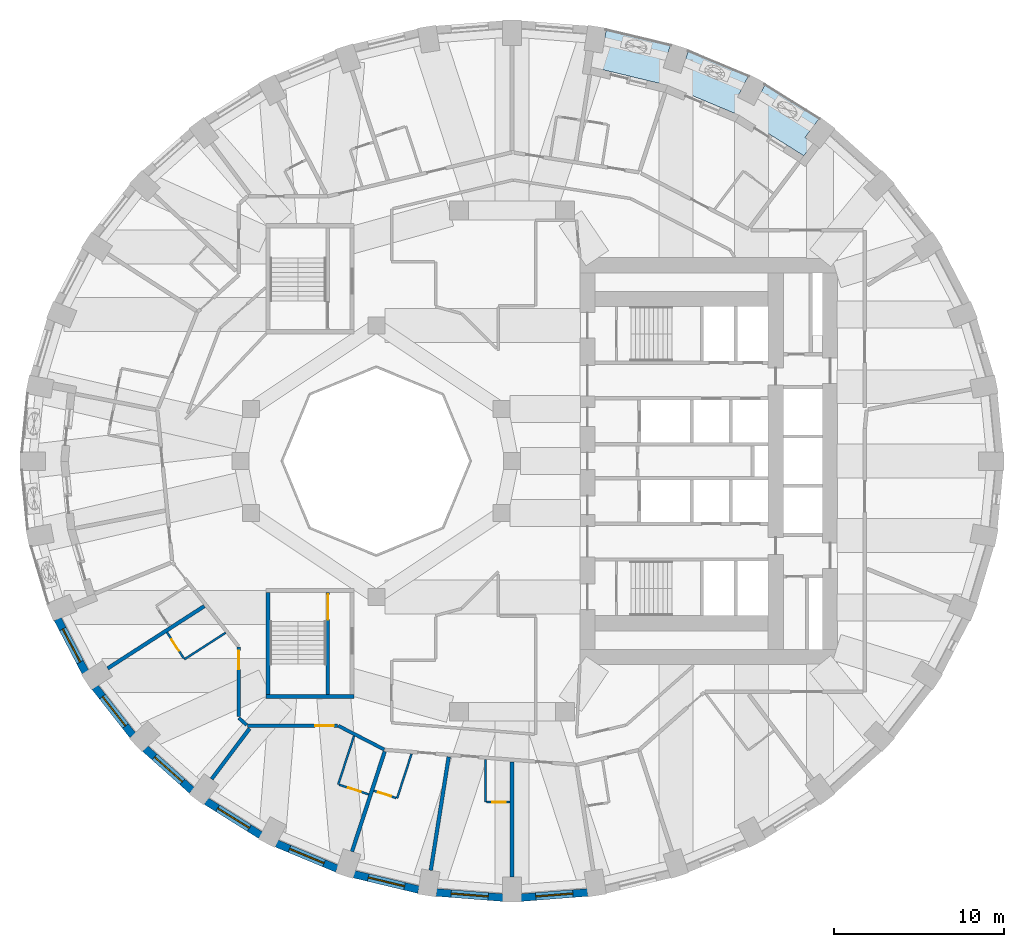
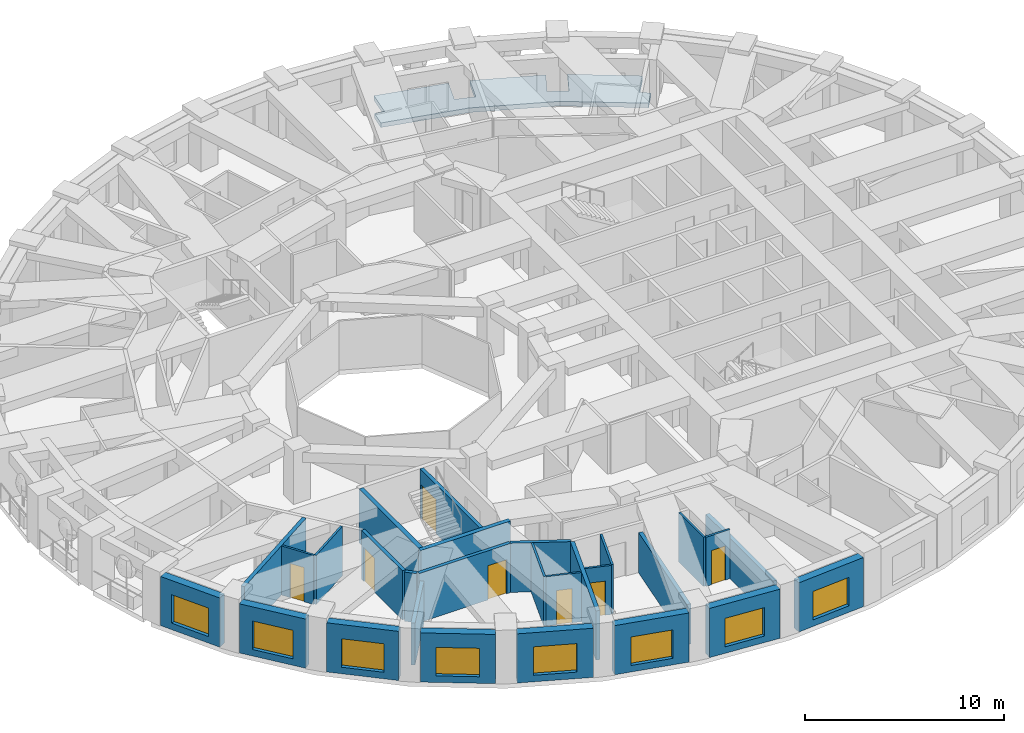
# One storey, part 3 of 13: 28 walls, 8 windows, 7 doors, 1 slab, 15 openings.
"""IFC4 building model written with IfcOpenShell, lengths in metres."""

from ifc_helpers import new_model, si_unit, direction, frame, frame_2d, origin, place, context, subcontext, project, spatial, polyline, rectangle, outline, extrude, material, layer, layer_set, type_object, element, fill, save


model = new_model("IFC4")

# Units and contexts
model_context = context("Model", 3, precision=1e-05, world=origin(), true_north=direction((0.0, 1.0)))
body_context = subcontext(model_context, "Body", "Model", "MODEL_VIEW")
ifc_project = project(units=[si_unit("LENGTHUNIT", "METRE"), si_unit("AREAUNIT", "SQUARE_METRE"), si_unit("VOLUMEUNIT", "CUBIC_METRE"), si_unit("PLANEANGLEUNIT", "RADIAN"), si_unit("MASSUNIT", "GRAM", prefix="KILO")], contexts=[model_context])

# Site, building, storey
site_placement = place(None, origin())
site = spatial("IfcSite", under=ifc_project, at=site_placement, CompositionType="ELEMENT")
building_placement = place(site_placement, origin())
building = spatial("IfcBuilding", under=site, at=building_placement, Name="Taillehof Tower", CompositionType="ELEMENT")
storey_placement = place(building_placement, frame((0.0, 0.0, 67.89990234375)))
storey = spatial("IfcBuildingStorey", under=building, at=storey_placement, Name="L18", CompositionType="ELEMENT", Elevation=67.89990234375)

# Slab
ifc_material_1 = material(Name="Concrete C40/50", Category="concrete")
ifc_layer_1 = layer(ifc_material_1, 0.280029296875)
ifc_layer_set_1 = layer_set([ifc_layer_1], Name="Balcony slab 280")
slab_type = type_object("IfcSlabType", Name="Balcony slab 280", PredefinedType="USERDEFINED", material=ifc_layer_set_1)
slab_placement = place(storey_placement, frame((0.0, 0.0, -0.27978515625)))
element("IfcSlab", 1, at=slab_placement, inside=storey, type_object=slab_type, Name="Balcony L18 pocket 1", ObjectType="BALCONY", PredefinedType="USERDEFINED", context=body_context, shape_type="SweptSolid", body=[
    extrude(outline(polyline([(4.6611328125, 23.234375), (4.801513671875, 24.12353515625), (5.331787109375, 24.039794921875), (5.559326171875, 25.479248046875), (9.357421875, 24.56689453125), (8.906494140625, 23.184814453125), (9.9521484375, 22.843505859375), (10.404296875, 24.22900390625), (13.958984375, 22.742919921875), (13.291748046875, 21.453857421875), (14.2685546875, 20.9482421875), (14.938232421875, 22.24169921875), (18.139404296875, 20.23193359375), (17.268310546875, 19.073974609375), (17.73974609375, 18.71923828125), (17.197998046875, 17.999267578125), (13.396728515625, 20.38525390625), (9.174072265625, 22.150390625), (4.6611328125, 23.234375)])), origin(), (0.0, 0.0, 1.0), 0.27978515625),
])

# Wall, opening, window
ifc_material_2 = material(Name="Brick masonry", Category="masonry")
ifc_layer_2 = layer(ifc_material_2, 0.449951171875)
ifc_layer_set_2 = layer_set([ifc_layer_2], Name="Brick infill wall 450")
wall_type_1 = type_object("IfcWallType", Name="Brick infill wall 450", PredefinedType="SOLIDWALL", material=ifc_layer_set_2)
wall_1_placement = place(storey_placement, frame((-26.78564453125, -9.30517578125, 0.0), z_axis=(0.0, 0.0, 1.0), x_axis=(0.462492775226, -0.886623050041, 0.0)))
wall_1 = element("IfcWall", 2, at=wall_1_placement, inside=storey, type_object=wall_type_1, Name="Brick wall L18 bay 21", PredefinedType="SOLIDWALL", context=body_context, shape_type="SweptSolid", body=[
    extrude(rectangle(XDim=3.531982421875, YDim=0.449951171875, at=frame_2d((1.76611328125, 0.0))), origin(), (0.0, 0.0, 1.0), 3.02001953125),
])
opening_1_placement = place(wall_1_placement, frame((0.666015625, 0.0, 0.39990234375)))
opening_1 = element("IfcOpeningElement", 3, at=opening_1_placement, cuts=wall_1, Name="Opening W1", PredefinedType="OPENING", context=body_context, shape_type="SweptSolid", body=[
    extrude(rectangle(XDim=2.199951171875, YDim=1.75, at=frame_2d((1.10009765625, 0.875))), frame((0.0, 0.23486328125, 0.0), z_axis=(0.0, -1.0, 0.0), x_axis=(1.0, 0.0, 0.0)), (0.0, 0.0, 1.0), 0.469970703125),
])
ifc_material_3 = material(Name="Aluminium window frame with clear double glazing", Category="aluminium")
window_type = type_object("IfcWindowType", Name="Deep-set window 2200x1750", PartitioningType="SINGLE_PANEL", PredefinedType="WINDOW", material=ifc_material_3)
window_1_placement = place(opening_1_placement, origin())
window_1 = element("IfcWindow", 4, at=window_1_placement, inside=storey, type_object=window_type, Name="W1", OverallHeight=1.75, OverallWidth=2.199951171875, PartitioningType="SINGLE_PANEL", PredefinedType="WINDOW", context=body_context, shape_type="SweptSolid", body=[
    extrude(rectangle(XDim=2.199951171875, YDim=1.75, at=frame_2d((1.10009765625, 0.875))), frame((0.0, 0.034912109375, 0.0), z_axis=(0.0, -1.0, 0.0), x_axis=(1.0, 0.0, 0.0)), (0.0, 0.0, 1.0), 0.06005859375),
])
fill(opening_1, window_1)

wall_2_placement = place(storey_placement, frame((-24.57763671875, -13.327880859375, 0.0), z_axis=(0.0, 0.0, 1.0), x_axis=(0.616661975264, -0.787228053529, 0.0)))
wall_2 = element("IfcWall", 5, at=wall_2_placement, inside=storey, type_object=wall_type_1, Name="Brick wall L18 bay 22", PredefinedType="SOLIDWALL", context=body_context, shape_type="SweptSolid", body=[
    extrude(rectangle(XDim=3.60986328125, YDim=0.449951171875, at=frame_2d((1.804931640625, 0.0))), origin(), (0.0, 0.0, 1.0), 3.02001953125),
])
opening_2_placement = place(wall_2_placement, frame((0.704833984375, 0.0, 0.39990234375)))
opening_2 = element("IfcOpeningElement", 6, at=opening_2_placement, cuts=wall_2, Name="Opening W1", PredefinedType="OPENING", context=body_context, shape_type="SweptSolid", body=[
    extrude(rectangle(XDim=2.199951171875, YDim=1.75, at=frame_2d((1.10009765625, 0.875))), frame((0.0, 0.23486328125, 0.0), z_axis=(0.0, -1.0, 0.0), x_axis=(1.0, 0.0, 0.0)), (0.0, 0.0, 1.0), 0.469970703125),
])
window_2_placement = place(opening_2_placement, origin())
window_2 = element("IfcWindow", 7, at=window_2_placement, inside=storey, type_object=window_type, Name="W1", OverallHeight=1.75, OverallWidth=2.199951171875, PartitioningType="SINGLE_PANEL", PredefinedType="WINDOW", context=body_context, shape_type="SweptSolid", body=[
    extrude(rectangle(XDim=2.199951171875, YDim=1.75, at=frame_2d((1.10009765625, 0.875))), frame((0.0, 0.034912109375, 0.0), z_axis=(0.0, -1.0, 0.0), x_axis=(1.0, 0.0, 0.0)), (0.0, 0.0, 1.0), 0.06005859375),
])
fill(opening_2, window_2)

wall_3_placement = place(storey_placement, frame((-21.626708984375, -16.943115234375, 0.0), z_axis=(0.0, 0.0, 1.0), x_axis=(0.745526233716, -0.66647628228, 0.0)))
wall_3 = element("IfcWall", 8, at=wall_3_placement, inside=storey, type_object=wall_type_1, Name="Brick wall L18 bay 23", PredefinedType="SOLIDWALL", context=body_context, shape_type="SweptSolid", body=[
    extrude(rectangle(XDim=3.69677734375, YDim=0.449951171875, at=frame_2d((1.848388671875, 0.0))), origin(), (0.0, 0.0, 1.0), 3.02001953125),
])
opening_3_placement = place(wall_3_placement, frame((0.74853515625, 0.0, 0.39990234375)))
opening_3 = element("IfcOpeningElement", 9, at=opening_3_placement, cuts=wall_3, Name="Opening W1", PredefinedType="OPENING", context=body_context, shape_type="SweptSolid", body=[
    extrude(rectangle(XDim=2.199951171875, YDim=1.75, at=frame_2d((1.10009765625, 0.875))), frame((0.0, 0.23486328125, 0.0), z_axis=(0.0, -1.0, 0.0), x_axis=(1.0, 0.0, 0.0)), (0.0, 0.0, 1.0), 0.469970703125),
])
window_3_placement = place(opening_3_placement, origin())
window_3 = element("IfcWindow", 10, at=window_3_placement, inside=storey, type_object=window_type, Name="W1", OverallHeight=1.75, OverallWidth=2.199951171875, PartitioningType="SINGLE_PANEL", PredefinedType="WINDOW", context=body_context, shape_type="SweptSolid", body=[
    extrude(rectangle(XDim=2.199951171875, YDim=1.75, at=frame_2d((1.10009765625, 0.875))), frame((0.0, 0.034912109375, 0.0), z_axis=(0.0, -1.0, 0.0), x_axis=(1.0, 0.0, 0.0)), (0.0, 0.0, 1.0), 0.06005859375),
])
fill(opening_3, window_3)

wall_4_placement = place(storey_placement, frame((-18.02294921875, -20.043701171875, 0.0), z_axis=(0.0, 0.0, 1.0), x_axis=(0.847635480093, -0.530579016629, 0.0)))
wall_4 = element("IfcWall", 11, at=wall_4_placement, inside=storey, type_object=wall_type_1, Name="Brick wall L18 bay 24", PredefinedType="SOLIDWALL", context=body_context, shape_type="SweptSolid", body=[
    extrude(rectangle(XDim=3.782470703125, YDim=0.449951171875, at=frame_2d((1.89111328125, 0.0))), origin(), (0.0, 0.0, 1.0), 3.02001953125),
])
opening_4_placement = place(wall_4_placement, frame((0.791259765625, 0.0, 0.39990234375)))
opening_4 = element("IfcOpeningElement", 12, at=opening_4_placement, cuts=wall_4, Name="Opening W1", PredefinedType="OPENING", context=body_context, shape_type="SweptSolid", body=[
    extrude(rectangle(XDim=2.199951171875, YDim=1.75, at=frame_2d((1.10009765625, 0.875))), frame((0.0, 0.23486328125, 0.0), z_axis=(0.0, -1.0, 0.0), x_axis=(1.0, 0.0, 0.0)), (0.0, 0.0, 1.0), 0.469970703125),
])
window_4_placement = place(opening_4_placement, origin())
window_4 = element("IfcWindow", 13, at=window_4_placement, inside=storey, type_object=window_type, Name="W1", OverallHeight=1.75, OverallWidth=2.199951171875, PartitioningType="SINGLE_PANEL", PredefinedType="WINDOW", context=body_context, shape_type="SweptSolid", body=[
    extrude(rectangle(XDim=2.199951171875, YDim=1.75, at=frame_2d((1.10009765625, 0.875))), frame((0.0, 0.034912109375, 0.0), z_axis=(0.0, -1.0, 0.0), x_axis=(1.0, 0.0, 0.0)), (0.0, 0.0, 1.0), 0.06005859375),
])
fill(opening_4, window_4)

wall_5_placement = place(storey_placement, frame((-13.875, -22.537353515625, 0.0), z_axis=(0.0, 0.0, 1.0), x_axis=(0.923031964282, -0.384723267966, 0.0)))
wall_5 = element("IfcWall", 14, at=wall_5_placement, inside=storey, type_object=wall_type_1, Name="Brick wall L18 bay 25", PredefinedType="SOLIDWALL", context=body_context, shape_type="SweptSolid", body=[
    extrude(rectangle(XDim=3.8564453125, YDim=0.449951171875, at=frame_2d((1.92822265625, 0.0))), origin(), (0.0, 0.0, 1.0), 3.02001953125),
])
opening_5_placement = place(wall_5_placement, frame((0.828125, 0.0, 0.39990234375)))
opening_5 = element("IfcOpeningElement", 15, at=opening_5_placement, cuts=wall_5, Name="Opening W1", PredefinedType="OPENING", context=body_context, shape_type="SweptSolid", body=[
    extrude(rectangle(XDim=2.199951171875, YDim=1.75, at=frame_2d((1.10009765625, 0.875))), frame((0.0, 0.23486328125, 0.0), z_axis=(0.0, -1.0, 0.0), x_axis=(1.0, 0.0, 0.0)), (0.0, 0.0, 1.0), 0.469970703125),
])
window_5_placement = place(opening_5_placement, origin())
window_5 = element("IfcWindow", 16, at=window_5_placement, inside=storey, type_object=window_type, Name="W1", OverallHeight=1.75, OverallWidth=2.199951171875, PartitioningType="SINGLE_PANEL", PredefinedType="WINDOW", context=body_context, shape_type="SweptSolid", body=[
    extrude(rectangle(XDim=2.199951171875, YDim=1.75, at=frame_2d((1.10009765625, 0.875))), frame((0.0, 0.034912109375, 0.0), z_axis=(0.0, -1.0, 0.0), x_axis=(1.0, 0.0, 0.0)), (0.0, 0.0, 1.0), 0.06005859375),
])
fill(opening_5, window_5)

wall_6_placement = place(storey_placement, frame((-9.3076171875, -24.349609375, 0.0), z_axis=(0.0, 0.0, 1.0), x_axis=(0.972496561493, -0.232917233979, 0.0)))
wall_6 = element("IfcWall", 17, at=wall_6_placement, inside=storey, type_object=wall_type_1, Name="Brick wall L18 bay 26", PredefinedType="SOLIDWALL", context=body_context, shape_type="SweptSolid", body=[
    extrude(rectangle(XDim=3.910888671875, YDim=0.449951171875, at=frame_2d((1.95556640625, 0.0))), origin(), (0.0, 0.0, 1.0), 3.02001953125),
])
opening_6_placement = place(wall_6_placement, frame((0.855224609375, 0.0, 0.39990234375)))
opening_6 = element("IfcOpeningElement", 18, at=opening_6_placement, cuts=wall_6, Name="Opening W1", PredefinedType="OPENING", context=body_context, shape_type="SweptSolid", body=[
    extrude(rectangle(XDim=2.199951171875, YDim=1.75, at=frame_2d((1.10009765625, 0.875))), frame((0.0, 0.23486328125, 0.0), z_axis=(0.0, -1.0, 0.0), x_axis=(1.0, 0.0, 0.0)), (0.0, 0.0, 1.0), 0.469970703125),
])
window_6_placement = place(opening_6_placement, origin())
window_6 = element("IfcWindow", 19, at=window_6_placement, inside=storey, type_object=window_type, Name="W1", OverallHeight=1.75, OverallWidth=2.199951171875, PartitioningType="SINGLE_PANEL", PredefinedType="WINDOW", context=body_context, shape_type="SweptSolid", body=[
    extrude(rectangle(XDim=2.199951171875, YDim=1.75, at=frame_2d((1.10009765625, 0.875))), frame((0.0, 0.034912109375, 0.0), z_axis=(0.0, -1.0, 0.0), x_axis=(1.0, 0.0, 0.0)), (0.0, 0.0, 1.0), 0.06005859375),
])
fill(opening_6, window_6)

wall_7_placement = place(storey_placement, frame((-4.457275390625, -25.42578125, 0.0), z_axis=(0.0, 0.0, 1.0), x_axis=(0.996955972145, -0.077966592873, 0.0)))
wall_7 = element("IfcWall", 20, at=wall_7_placement, inside=storey, type_object=wall_type_1, Name="Brick wall L18 bay 27", PredefinedType="SOLIDWALL", context=body_context, shape_type="SweptSolid", body=[
    extrude(rectangle(XDim=3.939208984375, YDim=0.449951171875, at=frame_2d((1.9697265625, 0.0))), origin(), (0.0, 0.0, 1.0), 3.02001953125),
])
opening_7_placement = place(wall_7_placement, frame((0.86962890625, 0.0, 0.39990234375)))
opening_7 = element("IfcOpeningElement", 21, at=opening_7_placement, cuts=wall_7, Name="Opening W1", PredefinedType="OPENING", context=body_context, shape_type="SweptSolid", body=[
    extrude(rectangle(XDim=2.199951171875, YDim=1.75, at=frame_2d((1.10009765625, 0.875))), frame((0.0, 0.23486328125, 0.0), z_axis=(0.0, -1.0, 0.0), x_axis=(1.0, 0.0, 0.0)), (0.0, 0.0, 1.0), 0.469970703125),
])
window_7_placement = place(opening_7_placement, origin())
window_7 = element("IfcWindow", 22, at=window_7_placement, inside=storey, type_object=window_type, Name="W1", OverallHeight=1.75, OverallWidth=2.199951171875, PartitioningType="SINGLE_PANEL", PredefinedType="WINDOW", context=body_context, shape_type="SweptSolid", body=[
    extrude(rectangle(XDim=2.199951171875, YDim=1.75, at=frame_2d((1.10009765625, 0.875))), frame((0.0, 0.034912109375, 0.0), z_axis=(0.0, -1.0, 0.0), x_axis=(1.0, 0.0, 0.0)), (0.0, 0.0, 1.0), 0.06005859375),
])
fill(opening_7, window_7)

wall_8_placement = place(storey_placement, frame((0.530029296875, -25.73291015625, 0.0), z_axis=(0.0, 0.0, 1.0), x_axis=(0.996955972145, 0.077966592873, 0.0)))
wall_8 = element("IfcWall", 23, at=wall_8_placement, inside=storey, type_object=wall_type_1, Name="Brick wall L18 bay 28", PredefinedType="SOLIDWALL", context=body_context, shape_type="SweptSolid", body=[
    extrude(rectangle(XDim=3.939208984375, YDim=0.449951171875, at=frame_2d((1.9697265625, 0.0))), origin(), (0.0, 0.0, 1.0), 3.02001953125),
])
opening_8_placement = place(wall_8_placement, frame((0.86962890625, 0.0, 0.39990234375)))
opening_8 = element("IfcOpeningElement", 24, at=opening_8_placement, cuts=wall_8, Name="Opening W1", PredefinedType="OPENING", context=body_context, shape_type="SweptSolid", body=[
    extrude(rectangle(XDim=2.199951171875, YDim=1.75, at=frame_2d((1.10009765625, 0.875))), frame((0.0, 0.23486328125, 0.0), z_axis=(0.0, -1.0, 0.0), x_axis=(1.0, 0.0, 0.0)), (0.0, 0.0, 1.0), 0.469970703125),
])
window_8_placement = place(opening_8_placement, origin())
window_8 = element("IfcWindow", 25, at=window_8_placement, inside=storey, type_object=window_type, Name="W1", OverallHeight=1.75, OverallWidth=2.199951171875, PartitioningType="SINGLE_PANEL", PredefinedType="WINDOW", context=body_context, shape_type="SweptSolid", body=[
    extrude(rectangle(XDim=2.199951171875, YDim=1.75, at=frame_2d((1.10009765625, 0.875))), frame((0.0, 0.034912109375, 0.0), z_axis=(0.0, -1.0, 0.0), x_axis=(1.0, 0.0, 0.0)), (0.0, 0.0, 1.0), 0.06005859375),
])
fill(opening_8, window_8)

# Wall
ifc_material_4 = material(Name="Gypsum board on steel studs, two layers each side", Category="steel")
ifc_layer_3 = layer(ifc_material_4, 0.199951171875)
ifc_layer_set_3 = layer_set([ifc_layer_3], Name="Compartment wall corridor 200")
wall_type_2 = type_object("IfcWallType", Name="Compartment wall corridor 200", PredefinedType="PARTITIONING", material=ifc_layer_set_3)
wall_9_placement = place(storey_placement, frame((-7.534423828125, -16.998291015625, 0.0), z_axis=(0.0, 0.0, 1.0), x_axis=(-0.888535328052, 0.458808206992, 0.0)))
element("IfcWall", 26, at=wall_9_placement, inside=storey, type_object=wall_type_2, Name="Compartment wall", PredefinedType="PARTITIONING", context=body_context, shape_type="SweptSolid", body=[
    extrude(rectangle(XDim=3.04736328125, YDim=0.199951171875, at=frame_2d((1.523681640625, 0.0))), origin(), (0.0, 0.0, 1.0), 3.02001953125),
])

# Wall, opening, door
wall_10_placement = place(storey_placement, frame((-10.2822265625, -15.60009765625, 0.0), z_axis=(0.0, 0.0, 1.0), x_axis=(-1.0, 0.0, 0.0)))
wall_10 = element("IfcWall", 27, at=wall_10_placement, inside=storey, type_object=wall_type_2, Name="Compartment wall", PredefinedType="PARTITIONING", context=body_context, shape_type="SweptSolid", body=[
    extrude(rectangle(XDim=5.309326171875, YDim=0.199951171875, at=frame_2d((2.65478515625, 0.0))), origin(), (0.0, 0.0, 1.0), 3.02001953125),
])
opening_9_placement = place(wall_10_placement, frame((0.219970703125, 0.0, 0.0)))
opening_9 = element("IfcOpeningElement", 28, at=opening_9_placement, cuts=wall_10, Name="Opening D1864", PredefinedType="OPENING", context=body_context, shape_type="SweptSolid", body=[
    extrude(rectangle(XDim=1.10009765625, YDim=2.10009765625, at=frame_2d((0.550048828125, 1.050048828125))), frame((0.0, 0.10986328125, 0.0), z_axis=(0.0, -1.0, 0.0), x_axis=(1.0, 0.0, 0.0)), (0.0, 0.0, 1.0), 0.219970703125),
])
ifc_material_5 = material(Name="Timber door leaf in steel frame", Category="steel")
door_type_1 = type_object("IfcDoorType", Name="Suite entrance door EI 30 1100 x 2100", OperationType="SINGLE_SWING_LEFT", PredefinedType="DOOR", material=ifc_material_5)
door_1_placement = place(opening_9_placement, origin())
door_1 = element("IfcDoor", 29, at=door_1_placement, inside=storey, type_object=door_type_1, Name="D1864", OperationType="SINGLE_SWING_LEFT", OverallHeight=2.10009765625, OverallWidth=1.10009765625, PredefinedType="DOOR", context=body_context, shape_type="SweptSolid", body=[
    extrude(rectangle(XDim=1.10009765625, YDim=2.10009765625, at=frame_2d((0.550048828125, 1.050048828125))), frame((0.0, 0.02490234375, 0.0), z_axis=(0.0, -1.0, 0.0), x_axis=(1.0, 0.0, 0.0)), (0.0, 0.0, 1.0), 0.050048828125),
])
fill(opening_9, door_1)

# Wall
wall_11_placement = place(storey_placement, frame((-15.63623046875, -15.559814453125, 0.0), z_axis=(0.0, 0.0, 1.0), x_axis=(-0.744656758283, 0.667447610187, 0.0)))
element("IfcWall", 30, at=wall_11_placement, inside=storey, type_object=wall_type_2, Name="Compartment wall", PredefinedType="PARTITIONING", context=body_context, shape_type="SweptSolid", body=[
    extrude(rectangle(XDim=0.623046875, YDim=0.199951171875, at=frame_2d((0.3115234375, 0.0))), origin(), (0.0, 0.0, 1.0), 3.02001953125),
])

# Wall, opening, door
wall_12_placement = place(storey_placement, frame((-16.10009765625, -15.06396484375, 0.0), z_axis=(0.0, 0.0, 1.0), x_axis=(0.0, 1.0, 0.0)))
wall_12 = element("IfcWall", 31, at=wall_12_placement, inside=storey, type_object=wall_type_2, Name="Compartment wall", PredefinedType="PARTITIONING", context=body_context, shape_type="SweptSolid", body=[
    extrude(rectangle(XDim=4.113037109375, YDim=0.199951171875, at=frame_2d((2.056640625, 0.0))), origin(), (0.0, 0.0, 1.0), 3.02001953125),
])
opening_10_placement = place(wall_12_placement, frame((2.79296875, 0.0, 0.0)))
opening_10 = element("IfcOpeningElement", 32, at=opening_10_placement, cuts=wall_12, Name="Opening D1862", PredefinedType="OPENING", context=body_context, shape_type="SweptSolid", body=[
    extrude(rectangle(XDim=1.10009765625, YDim=2.10009765625, at=frame_2d((0.550048828125, 1.050048828125))), frame((0.0, 0.10986328125, 0.0), z_axis=(0.0, -1.0, 0.0), x_axis=(1.0, 0.0, 0.0)), (0.0, 0.0, 1.0), 0.219970703125),
])
door_2_placement = place(opening_10_placement, origin())
door_2 = element("IfcDoor", 33, at=door_2_placement, inside=storey, type_object=door_type_1, Name="D1862", OperationType="SINGLE_SWING_RIGHT", OverallHeight=2.10009765625, OverallWidth=1.10009765625, PredefinedType="DOOR", context=body_context, shape_type="SweptSolid", body=[
    extrude(rectangle(XDim=1.10009765625, YDim=2.10009765625, at=frame_2d((0.550048828125, 1.050048828125))), frame((0.0, 0.02490234375, 0.0), z_axis=(0.0, -1.0, 0.0), x_axis=(1.0, 0.0, 0.0)), (0.0, 0.0, 1.0), 0.050048828125),
])
fill(opening_10, door_2)

# Walls
ifc_material_6 = material(Name="Gypsum board on double steel studs with mineral wool", Category="steel")
ifc_layer_4 = layer(ifc_material_6, 0.219970703125)
ifc_layer_set_4 = layer_set([ifc_layer_4], Name="Compartment wall guest room 220")
wall_type_3 = type_object("IfcWallType", Name="Compartment wall guest room 220", PredefinedType="PARTITIONING", material=ifc_layer_set_4)
wall_13_placement = place(storey_placement, frame((-23.834716796875, -12.218994140625, 0.0), z_axis=(0.0, 0.0, 1.0), x_axis=(0.840749666863, 0.541424046076, 0.0)))
element("IfcWall", 34, at=wall_13_placement, inside=storey, type_object=wall_type_3, Name="Compartment wall", PredefinedType="PARTITIONING", context=body_context, shape_type="SweptSolid", body=[
    extrude(rectangle(XDim=6.774658203125, YDim=0.219970703125, at=frame_2d((3.38720703125, 0.0))), origin(), (0.0, 0.0, 1.0), 3.02001953125),
])
wall_14_placement = place(storey_placement, frame((-17.707763671875, -18.7431640625, 0.0), z_axis=(0.0, 0.0, 1.0), x_axis=(0.601172757903, 0.799119086967, 0.0)))
element("IfcWall", 35, at=wall_14_placement, inside=storey, type_object=wall_type_3, Name="Compartment wall", PredefinedType="PARTITIONING", context=body_context, shape_type="SweptSolid", body=[
    extrude(rectangle(XDim=3.728515625, YDim=0.219970703125, at=frame_2d((1.8642578125, 0.0))), origin(), (0.0, 0.0, 1.0), 2.570068359375),
])
wall_15_placement = place(storey_placement, frame((-9.429443359375, -23.01416015625, 0.0), z_axis=(0.0, 0.0, 1.0), x_axis=(0.310235573501, 0.950659712481, 0.0)))
element("IfcWall", 36, at=wall_15_placement, inside=storey, type_object=wall_type_3, Name="Compartment wall", PredefinedType="PARTITIONING", context=body_context, shape_type="SweptSolid", body=[
    extrude(rectangle(XDim=6.20361328125, YDim=0.219970703125, at=frame_2d((3.101806640625, 0.0))), origin(), (0.0, 0.0, 1.0), 3.02001953125),
])
for number, where, z_axis, x_axis, name in (
    (37, (-4.788330078125, -24.12548828125, 0.0), (0.0, 0.0, 1.0), (0.156127209873, 0.987736956045, 0.0), "Compartment wall"),
    (38, (0.0, -24.5, 0.0), (0.0, 0.0, 1.0), (0.0, 1.0, 0.0), "Compartment wall"),
):
    element("IfcWall", number, at=place(storey_placement, frame(where, z_axis=z_axis, x_axis=x_axis)), inside=storey, type_object=wall_type_3, Name=name, PredefinedType="PARTITIONING", context=body_context, shape_type="SweptSolid", body=[
        extrude(rectangle(XDim=6.777099609375, YDim=0.219970703125, at=frame_2d((3.388671875, 0.0))), origin(), (0.0, 0.0, 1.0), 2.47021484375),
    ])
ifc_material_7 = material(Name="Gypsum board on steel studs, moisture resistant", Category="steel")
ifc_layer_5 = layer(ifc_material_7, 0.1201171875)
ifc_layer_set_5 = layer_set([ifc_layer_5], Name="En-suite wall 120")
wall_type_4 = type_object("IfcWallType", Name="En-suite wall 120", PredefinedType="PARTITIONING", material=ifc_layer_set_5)
wall_16_placement = place(storey_placement, frame((-16.880615234375, -10.11962890625, 0.0), z_axis=(0.0, 0.0, 1.0), x_axis=(-0.840749755927, -0.541423907773, 0.0)))
element("IfcWall", 39, at=wall_16_placement, inside=storey, type_object=wall_type_4, Name="En-suite wall", PredefinedType="PARTITIONING", context=body_context, shape_type="SweptSolid", body=[
    extrude(rectangle(XDim=2.88818359375, YDim=0.1201171875, at=frame_2d((1.444091796875, 0.0))), origin(), (0.0, 0.0, 1.0), 3.02001953125),
])
wall_17_placement = place(storey_placement, frame((-9.30810546875, -16.195068359375, 0.0), z_axis=(0.0, 0.0, 1.0), x_axis=(-0.310170219214, -0.950681037527, 0.0)))
element("IfcWall", 40, at=wall_17_placement, inside=storey, type_object=wall_type_4, Name="En-suite wall", PredefinedType="PARTITIONING", context=body_context, shape_type="SweptSolid", body=[
    extrude(rectangle(XDim=3.013916015625, YDim=0.1201171875, at=frame_2d((1.5068359375, 0.0))), origin(), (0.0, 0.0, 1.0), 3.02001953125),
])
wall_18_placement = place(storey_placement, frame((-5.921142578125, -17.259765625, 0.0), z_axis=(0.0, 0.0, 1.0), x_axis=(-0.310180943487, -0.950677538547, 0.0)))
element("IfcWall", 41, at=wall_18_placement, inside=storey, type_object=wall_type_4, Name="En-suite wall", PredefinedType="PARTITIONING", context=body_context, shape_type="SweptSolid", body=[
    extrude(rectangle(XDim=2.75244140625, YDim=0.1201171875, at=frame_2d((1.376220703125, 0.0))), origin(), (0.0, 0.0, 1.0), 3.02001953125),
])
wall_19_placement = place(storey_placement, frame((-1.550048828125, -17.581787109375, 0.0), z_axis=(0.0, 0.0, 1.0), x_axis=(0.0, -1.0, 0.0)))
element("IfcWall", 42, at=wall_19_placement, inside=storey, type_object=wall_type_4, Name="En-suite wall", PredefinedType="PARTITIONING", context=body_context, shape_type="SweptSolid", body=[
    extrude(rectangle(XDim=2.520751953125, YDim=0.1201171875, at=frame_2d((1.26025390625, 0.0))), origin(), (0.0, 0.0, 1.0), 3.02001953125),
])

# Wall, opening, door
wall_20_placement = place(storey_placement, frame((-19.34130859375, -11.6328125, 0.0), z_axis=(0.0, 0.0, 1.0), x_axis=(-0.541391271501, 0.840770772055, 0.0)))
wall_20 = element("IfcWall", 43, at=wall_20_placement, inside=storey, type_object=wall_type_4, Name="En-suite wall", PredefinedType="PARTITIONING", context=body_context, shape_type="SweptSolid", body=[
    extrude(rectangle(XDim=1.830078125, YDim=0.1201171875, at=frame_2d((0.9150390625, 0.0))), origin(), (0.0, 0.0, 1.0), 3.02001953125),
])
opening_11_placement = place(wall_20_placement, frame((0.5400390625, 0.0, 0.0)))
opening_11 = element("IfcOpeningElement", 44, at=opening_11_placement, cuts=wall_20, Name="Opening D1863", PredefinedType="OPENING", context=body_context, shape_type="SweptSolid", body=[
    extrude(rectangle(XDim=0.800048828125, YDim=2.10009765625, at=frame_2d((0.39990234375, 1.050048828125))), frame((0.0, 0.070068359375, 0.0), z_axis=(0.0, -1.0, 0.0), x_axis=(1.0, 0.0, 0.0)), (0.0, 0.0, 1.0), 0.14013671875),
])
ifc_material_8 = material(Name="Timber door leaf in steel frame", Category="steel")
door_type_2 = type_object("IfcDoorType", Name="En-suite door 800 x 2100", OperationType="SINGLE_SWING_LEFT", PredefinedType="DOOR", material=ifc_material_8)
door_3_placement = place(opening_11_placement, origin())
door_3 = element("IfcDoor", 45, at=door_3_placement, inside=storey, type_object=door_type_2, Name="D1863", OperationType="SINGLE_SWING_RIGHT", OverallHeight=2.10009765625, OverallWidth=0.800048828125, PredefinedType="DOOR", context=body_context, shape_type="SweptSolid", body=[
    extrude(rectangle(XDim=0.800048828125, YDim=2.10009765625, at=frame_2d((0.39990234375, 1.050048828125))), frame((0.0, 0.02490234375, 0.0), z_axis=(0.0, -1.0, 0.0), x_axis=(1.0, 0.0, 0.0)), (0.0, 0.0, 1.0), 0.050048828125),
])
fill(opening_11, door_3)

wall_21_placement = place(storey_placement, frame((-10.185791015625, -19.078857421875, 0.0), z_axis=(0.0, 0.0, 1.0), x_axis=(0.950678536911, -0.31017788357, 0.0)))
wall_21 = element("IfcWall", 46, at=wall_21_placement, inside=storey, type_object=wall_type_4, Name="En-suite wall", PredefinedType="PARTITIONING", context=body_context, shape_type="SweptSolid", body=[
    extrude(rectangle(XDim=1.830078125, YDim=0.1201171875, at=frame_2d((0.9150390625, 0.0))), origin(), (0.0, 0.0, 1.0), 3.02001953125),
])
opening_12_placement = place(wall_21_placement, frame((0.539794921875, 0.0, 0.0)))
opening_12 = element("IfcOpeningElement", 47, at=opening_12_placement, cuts=wall_21, Name="Opening D1865", PredefinedType="OPENING", context=body_context, shape_type="SweptSolid", body=[
    extrude(rectangle(XDim=0.800048828125, YDim=2.10009765625, at=frame_2d((0.39990234375, 1.050048828125))), frame((0.0, 0.070068359375, 0.0), z_axis=(0.0, -1.0, 0.0), x_axis=(1.0, 0.0, 0.0)), (0.0, 0.0, 1.0), 0.14013671875),
])
door_4_placement = place(opening_12_placement, origin())
door_4 = element("IfcDoor", 48, at=door_4_placement, inside=storey, type_object=door_type_2, Name="D1865", OperationType="SINGLE_SWING_LEFT", OverallHeight=2.10009765625, OverallWidth=0.800048828125, PredefinedType="DOOR", context=body_context, shape_type="SweptSolid", body=[
    extrude(rectangle(XDim=0.800048828125, YDim=2.10009765625, at=frame_2d((0.39990234375, 1.050048828125))), frame((0.0, 0.02490234375, 0.0), z_axis=(0.0, -1.0, 0.0), x_axis=(1.0, 0.0, 0.0)), (0.0, 0.0, 1.0), 0.050048828125),
])
fill(opening_12, door_4)

wall_22_placement = place(storey_placement, frame((-6.83203125, -19.85791015625, 0.0), z_axis=(0.0, 0.0, 1.0), x_axis=(-0.950645927723, 0.31027781117, 0.0)))
wall_22 = element("IfcWall", 49, at=wall_22_placement, inside=storey, type_object=wall_type_4, Name="En-suite wall", PredefinedType="PARTITIONING", context=body_context, shape_type="SweptSolid", body=[
    extrude(rectangle(XDim=1.380126953125, YDim=0.1201171875, at=frame_2d((0.68994140625, 0.0))), origin(), (0.0, 0.0, 1.0), 3.02001953125),
])
opening_13_placement = place(wall_22_placement, frame((0.315185546875, 0.0, 0.0)))
opening_13 = element("IfcOpeningElement", 50, at=opening_13_placement, cuts=wall_22, Name="Opening D1867", PredefinedType="OPENING", context=body_context, shape_type="SweptSolid", body=[
    extrude(rectangle(XDim=0.800048828125, YDim=2.10009765625, at=frame_2d((0.39990234375, 1.050048828125))), frame((0.0, 0.070068359375, 0.0), z_axis=(0.0, -1.0, 0.0), x_axis=(1.0, 0.0, 0.0)), (0.0, 0.0, 1.0), 0.14013671875),
])
door_5_placement = place(opening_13_placement, origin())
door_5 = element("IfcDoor", 51, at=door_5_placement, inside=storey, type_object=door_type_2, Name="D1867", OperationType="SINGLE_SWING_RIGHT", OverallHeight=2.10009765625, OverallWidth=0.800048828125, PredefinedType="DOOR", context=body_context, shape_type="SweptSolid", body=[
    extrude(rectangle(XDim=0.800048828125, YDim=2.10009765625, at=frame_2d((0.39990234375, 1.050048828125))), frame((0.0, 0.02490234375, 0.0), z_axis=(0.0, -1.0, 0.0), x_axis=(1.0, 0.0, 0.0)), (0.0, 0.0, 1.0), 0.050048828125),
])
fill(opening_13, door_5)

wall_23_placement = place(storey_placement, frame((-1.489990234375, -20.1025390625, 0.0), z_axis=(0.0, 0.0, 1.0), x_axis=(1.0, 0.0, 0.0)))
wall_23 = element("IfcWall", 52, at=wall_23_placement, inside=storey, type_object=wall_type_4, Name="En-suite wall", PredefinedType="PARTITIONING", context=body_context, shape_type="SweptSolid", body=[
    extrude(rectangle(XDim=1.3798828125, YDim=0.1201171875, at=frame_2d((0.68994140625, 0.0))), origin(), (0.0, 0.0, 1.0), 3.02001953125),
])
opening_14_placement = place(wall_23_placement, frame((0.31494140625, 0.0, 0.0)))
opening_14 = element("IfcOpeningElement", 53, at=opening_14_placement, cuts=wall_23, Name="Opening D1869", PredefinedType="OPENING", context=body_context, shape_type="SweptSolid", body=[
    extrude(rectangle(XDim=0.800048828125, YDim=2.10009765625, at=frame_2d((0.39990234375, 1.050048828125))), frame((0.0, 0.070068359375, 0.0), z_axis=(0.0, -1.0, 0.0), x_axis=(1.0, 0.0, 0.0)), (0.0, 0.0, 1.0), 0.14013671875),
])
door_6_placement = place(opening_14_placement, origin())
door_6 = element("IfcDoor", 54, at=door_6_placement, inside=storey, type_object=door_type_2, Name="D1869", OperationType="SINGLE_SWING_LEFT", OverallHeight=2.10009765625, OverallWidth=0.800048828125, PredefinedType="DOOR", context=body_context, shape_type="SweptSolid", body=[
    extrude(rectangle(XDim=0.800048828125, YDim=2.10009765625, at=frame_2d((0.39990234375, 1.050048828125))), frame((0.0, 0.02490234375, 0.0), z_axis=(0.0, -1.0, 0.0), x_axis=(1.0, 0.0, 0.0)), (0.0, 0.0, 1.0), 0.050048828125),
])
fill(opening_14, door_6)

ifc_material_9 = material(Name="Concrete C50/60", Category="concrete")
ifc_layer_6 = layer(ifc_material_9, 0.199951171875)
ifc_layer_set_6 = layer_set([ifc_layer_6], Name="Shaft wall C50/60 200")
wall_type_5 = type_object("IfcWallType", Name="Shaft wall C50/60 200", PredefinedType="SHEAR", material=ifc_layer_set_6)
wall_24_placement = place(storey_placement, frame((-10.85009765625, -13.75, 0.0), z_axis=(0.0, 0.0, 1.0), x_axis=(0.0, 1.0, 0.0)))
wall_24 = element("IfcWall", 55, at=wall_24_placement, inside=storey, type_object=wall_type_5, Name="Shaft wall SW", PredefinedType="SHEAR", context=body_context, shape_type="SweptSolid", body=[
    extrude(rectangle(XDim=6.0, YDim=0.199951171875, at=frame_2d((3.0, 0.0))), origin(), (0.0, 0.0, 1.0), 3.02001953125),
])
opening_15_placement = place(wall_24_placement, frame((4.39990234375, 0.0, 0.0)))
opening_15 = element("IfcOpeningElement", 56, at=opening_15_placement, cuts=wall_24, Name="Opening D1813", PredefinedType="OPENING", context=body_context, shape_type="SweptSolid", body=[
    extrude(rectangle(XDim=1.5, YDim=2.10009765625, at=frame_2d((0.75, 1.050048828125))), frame((0.0, 0.10986328125, 0.0), z_axis=(0.0, -1.0, 0.0), x_axis=(1.0, 0.0, 0.0)), (0.0, 0.0, 1.0), 0.219970703125),
])
ifc_material_10 = material(Name="Steel-faced fire door", Category="steel")
door_type_3 = type_object("IfcDoorType", Name="Stair door 1500x2100", OperationType="DOUBLE_DOOR_SINGLE_SWING", PredefinedType="DOOR", material=ifc_material_10)
door_7_placement = place(opening_15_placement, origin())
door_7 = element("IfcDoor", 57, at=door_7_placement, inside=storey, type_object=door_type_3, Name="Stair lobby door S4", OperationType="DOUBLE_DOOR_SINGLE_SWING", OverallHeight=2.10009765625, OverallWidth=1.5, PredefinedType="DOOR", context=body_context, shape_type="SweptSolid", body=[
    extrude(rectangle(XDim=1.5, YDim=2.10009765625, at=frame_2d((0.75, 1.050048828125))), frame((0.0, 0.02490234375, 0.0), z_axis=(0.0, -1.0, 0.0), x_axis=(1.0, 0.0, 0.0)), (0.0, 0.0, 1.0), 0.050048828125),
])
fill(opening_15, door_7)

# Walls
ifc_material_11 = material(Name="Concrete C50/60", Category="concrete")
ifc_layer_7 = layer(ifc_material_11, 0.25)
ifc_layer_set_7 = layer_set([ifc_layer_7], Name="Stair wall C50/60 250")
wall_type_6 = type_object("IfcWallType", Name="Stair wall C50/60 250", PredefinedType="SHEAR", material=ifc_layer_set_7)
wall_25_placement = place(storey_placement, frame((-14.375, -13.75, -0.27978515625), z_axis=(0.0, 0.0, 1.0), x_axis=(0.0, 1.0, 0.0)))
element("IfcWall", 58, at=wall_25_placement, inside=storey, type_object=wall_type_6, Name="Stair wall SC", PredefinedType="SHEAR", context=body_context, shape_type="SweptSolid", body=[
    extrude(rectangle(XDim=6.0, YDim=0.25, at=frame_2d((3.0, 0.0))), origin(), (0.0, 0.0, 1.0), 3.2998046875),
])
wall_26_placement = place(storey_placement, frame((-14.5, -13.875, -0.27978515625), z_axis=(0.0, 0.0, 1.0), x_axis=(1.0, 0.0, 0.0)))
element("IfcWall", 59, at=wall_26_placement, inside=storey, type_object=wall_type_6, Name="Stair wall SC", PredefinedType="SHEAR", context=body_context, shape_type="SweptSolid", body=[
    extrude(rectangle(XDim=5.199951171875, YDim=0.25, at=frame_2d((2.60009765625, 0.0))), origin(), (0.0, 0.0, 1.0), 3.2998046875),
])

save(model, "model.ifc")
